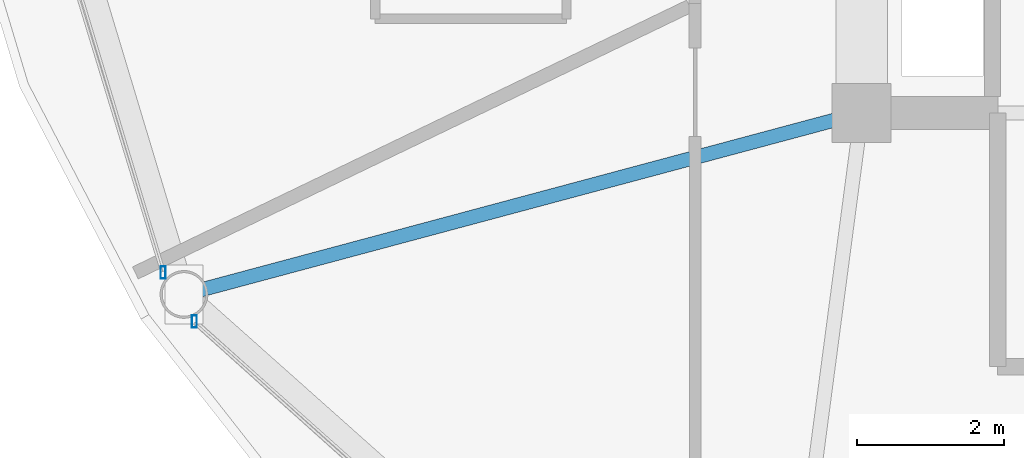
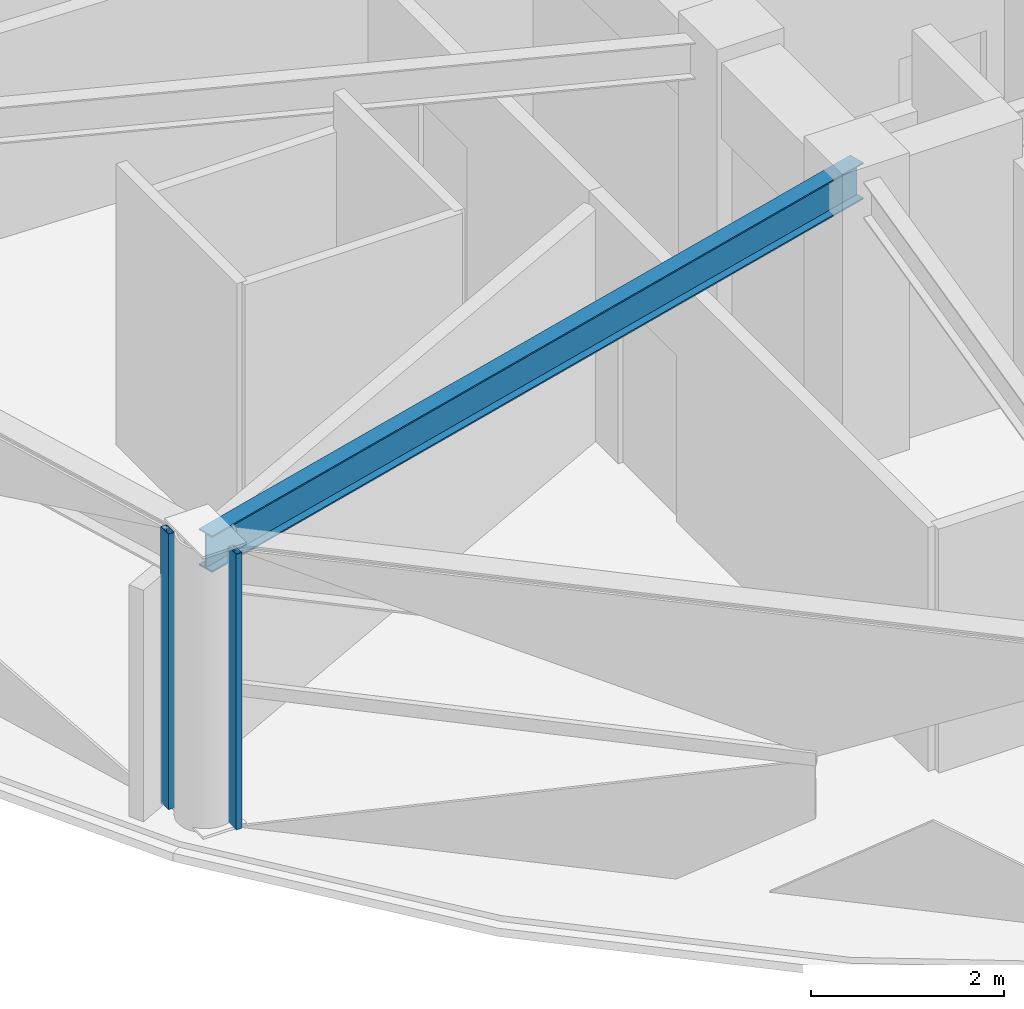
# One storey, part 3 of 28: 2 members, 1 beam, 2 elements without a shape of their own.
"""IFC4 building model written with IfcOpenShell, lengths in metres."""

from ifc_helpers import new_model, si_unit, direction, frame, origin, origin_2d, place, context, subcontext, project, spatial, hollow_rectangle, i_section, extrude, material, layer, layer_set, material_profile, profile_set, type_object, element, aggregate, save


model = new_model("IFC4")

# Units and contexts
model_context = context("Model", 3, precision=1e-05, world=origin(), true_north=direction((0.0, 1.0)))
body_context = subcontext(model_context, "Body", "Model", "MODEL_VIEW")
ifc_project = project(units=[si_unit("LENGTHUNIT", "METRE"), si_unit("AREAUNIT", "SQUARE_METRE"), si_unit("VOLUMEUNIT", "CUBIC_METRE"), si_unit("PLANEANGLEUNIT", "RADIAN"), si_unit("MASSUNIT", "GRAM", prefix="KILO")], contexts=[model_context])

# Site, building, storey
site_placement = place(None, origin())
site = spatial("IfcSite", under=ifc_project, at=site_placement, CompositionType="ELEMENT")
building_placement = place(site_placement, origin())
building = spatial("IfcBuilding", under=site, at=building_placement, Name="Vantalir Tower", CompositionType="ELEMENT")
storey_placement = place(building_placement, frame((0.0, 0.0, 238.64990234375)))
storey = spatial("IfcBuildingStorey", under=building, at=storey_placement, Name="L60", CompositionType="ELEMENT", Elevation=238.64990234375)

# Beam
ifc_material_1 = material(Name="Steel S355", Category="steel")
ifc_material_profile_1 = material_profile(ifc_material_1, i_section(OverallWidth=0.19189453125, OverallDepth=0.462890625, WebThickness=0.010498046875, FlangeThickness=0.017578125, at=origin_2d()), Name="Steel S355")
ifc_profile_set_1 = profile_set([ifc_material_profile_1], Name="Steel S355")
beam_type = type_object("IfcBeamType", Name="BM-RB-457x191", PredefinedType="BEAM", material=ifc_profile_set_1)
beam_placement = place(storey_placement, frame((12.69189453125, 15.3330078125, 3.338134765625), z_axis=(0.965932047749, 0.25879582518, 0.0), x_axis=(-0.25879582518, 0.965932047749, 0.0)))
element("IfcBeam", 1, at=beam_placement, inside=storey, type_object=beam_type, Name="L60 Radial Floor Beam 08", PredefinedType="BEAM", context=body_context, shape_type="SweptSolid", body=[
    extrude(i_section(OverallWidth=0.19189453125, OverallDepth=0.462890625, WebThickness=0.010498046875, FlangeThickness=0.017578125, at=origin_2d()), origin(), (0.0, 0.0, 1.0), 9.53271484375),
])

# Curtain wall, member
ifc_material_2 = material(Name="Champagne-silver PVDF aluminium and double-silver Low-E glass", Category="aluminium")
ifc_layer = layer(ifc_material_2, 0.2099609375)
ifc_layer_set = layer_set([ifc_layer], Name="Champagne-silver PVDF aluminium and double-silver Low-E glass")
curtain_wall_type = type_object("IfcCurtainWallType", Name="CW-DIAMOND-Z3", PredefinedType="USERDEFINED", material=ifc_layer_set)
curtain_wall_1_placement = place(storey_placement, origin())
curtain_wall_1 = element("IfcCurtainWall", 2, at=curtain_wall_1_placement, inside=storey, type_object=curtain_wall_type, Name="L60 Quilted Pyramid-Diamond Curtain Wall S07", ObjectType="UNITISED CURTAIN WALL", PredefinedType="USERDEFINED")
ifc_material_3 = material(Name="Champagne-silver PVDF aluminium 6063-T6", Category="aluminium")
ifc_material_profile_2 = material_profile(ifc_material_3, hollow_rectangle(XDim=0.070068359375, YDim=0.1650390625, WallThickness=0.00390625, at=origin_2d()), Name="Champagne-silver PVDF aluminium 6063-T6")
ifc_profile_set_2 = profile_set([ifc_material_profile_2], Name="Champagne-silver PVDF aluminium 6063-T6")
member_type = type_object("IfcMemberType", Name="CWM-165x70", PredefinedType="MULLION", material=ifc_profile_set_2)
member_1_placement = place(storey_placement, frame((12.408935546875, 15.631103515625, 0.045166015625), z_axis=(0.0, 0.0, 1.0), x_axis=(1.0, 0.0, 0.0)))
member_1 = element("IfcMember", 3, at=member_1_placement, type_object=member_type, Name="CW-L60-S07 Mullion 2", PredefinedType="MULLION", context=body_context, shape_type="SweptSolid", body=[
    extrude(hollow_rectangle(XDim=0.070068359375, YDim=0.1650390625, WallThickness=0.00390625, at=origin_2d()), origin(), (0.0, 0.0, 1.0), 3.47998046875),
])
aggregate(curtain_wall_1, [member_1])

curtain_wall_2_placement = place(storey_placement, origin())
curtain_wall_2 = element("IfcCurtainWall", 4, at=curtain_wall_2_placement, inside=storey, type_object=curtain_wall_type, Name="L60 Quilted Pyramid-Diamond Curtain Wall S08", ObjectType="UNITISED CURTAIN WALL", PredefinedType="USERDEFINED")
member_2_placement = place(storey_placement, frame((12.8330078125, 14.965087890625, 0.045166015625), z_axis=(0.0, 0.0, 1.0), x_axis=(1.0, 0.0, 0.0)))
member_2 = element("IfcMember", 5, at=member_2_placement, type_object=member_type, Name="CW-L60-S08 Mullion 1", PredefinedType="MULLION", context=body_context, shape_type="SweptSolid", body=[
    extrude(hollow_rectangle(XDim=0.070068359375, YDim=0.1650390625, WallThickness=0.00390625, at=origin_2d()), origin(), (0.0, 0.0, 1.0), 3.47998046875),
])
aggregate(curtain_wall_2, [member_2])

save(model, "model.ifc")
